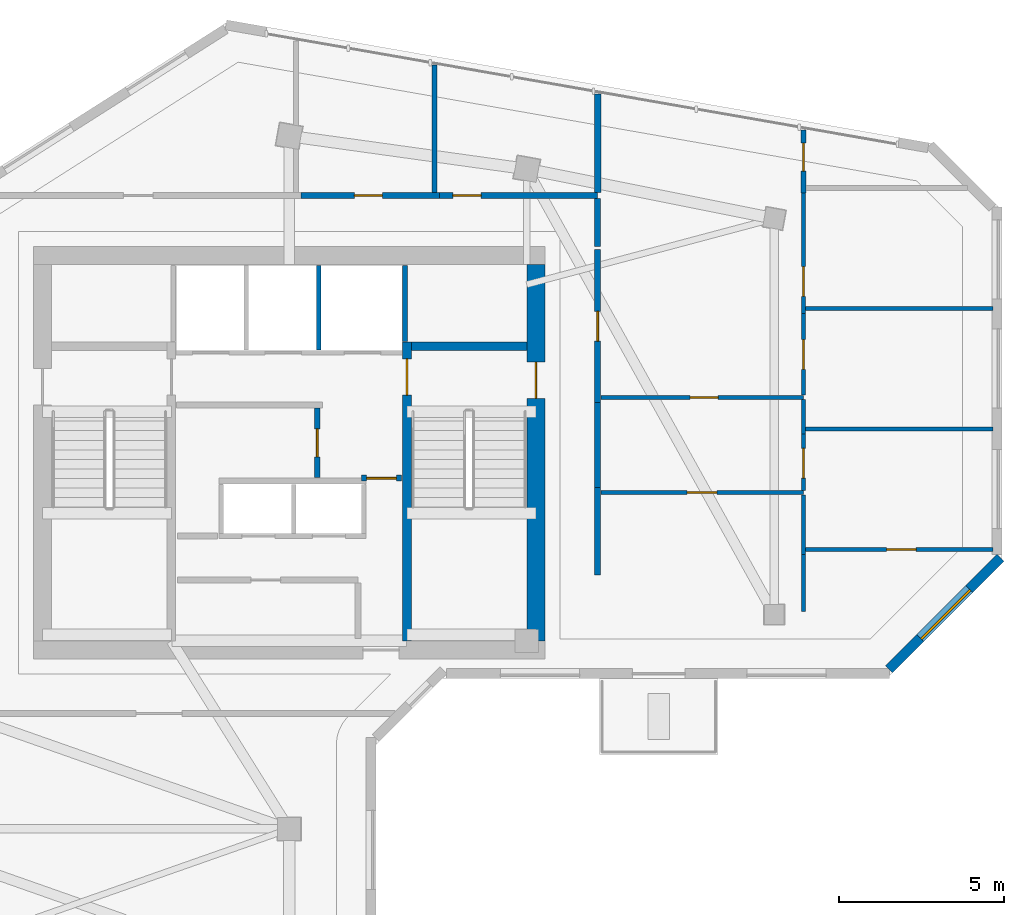
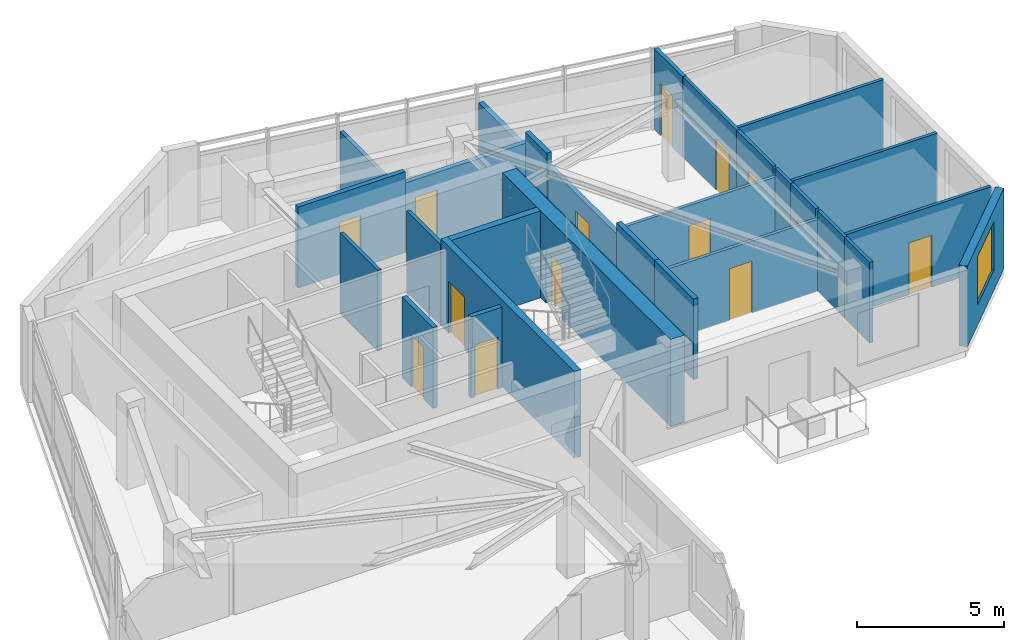
# One storey, part 5 of 9: 28 walls, 14 doors, 1 window, 15 openings.
"""IFC4 building model written with IfcOpenShell, lengths in metres."""

from ifc_helpers import new_model, si_unit, direction, frame, frame_2d, origin, place, context, subcontext, project, spatial, rectangle, extrude, source, transform, mapped, material, layer, layer_set, type_object, element, fill, save


model = new_model("IFC4")

# Units and contexts
model_context = context("Model", 3, precision=1e-05, world=origin(), true_north=direction((0.0, 1.0)))
body_context = subcontext(model_context, "Body", "Model", "MODEL_VIEW")
ifc_project = project(units=[si_unit("LENGTHUNIT", "METRE"), si_unit("AREAUNIT", "SQUARE_METRE"), si_unit("VOLUMEUNIT", "CUBIC_METRE"), si_unit("PLANEANGLEUNIT", "RADIAN"), si_unit("MASSUNIT", "GRAM", prefix="KILO")], contexts=[model_context])

# Site, building, storey
site_placement = place(None, origin())
site = spatial("IfcSite", under=ifc_project, at=site_placement, CompositionType="ELEMENT")
building_placement = place(site_placement, origin())
building = spatial("IfcBuilding", under=site, at=building_placement, Name="Calvemar Wedge Station Tower", CompositionType="ELEMENT")
storey_placement = place(building_placement, frame((0.0, 0.0, 274.5)))
storey = spatial("IfcBuildingStorey", under=building, at=storey_placement, Name="L70", CompositionType="ELEMENT", Elevation=274.5)

# Wall, opening, door
ifc_material_1 = material(Name="Concrete C50", Category="concrete")
ifc_layer_1 = layer(ifc_material_1, 0.260009765625)
ifc_layer_set_1 = layer_set([ifc_layer_1], Name="Concrete C50")
wall_type_1 = type_object("IfcWallType", Name="SW-CORE-260", PredefinedType="SHEAR", material=ifc_layer_set_1)
wall_1_placement = place(storey_placement, frame((27.3701171875, 34.199951171875, 0.0), z_axis=(0.0, 0.0, 1.0), x_axis=(0.0, 1.0, 0.0)))
wall_1 = element("IfcWall", 1, at=wall_1_placement, inside=storey, type_object=wall_type_1, Name="Storey L70 Core Shear Wall SPINE-E", PredefinedType="SHEAR", context=body_context, shape_type="SweptSolid", body=[
    extrude(rectangle(XDim=9.06005859375, YDim=0.260009765625, at=frame_2d((4.530029296875, 0.0))), origin(), (0.0, 0.0, 1.0), 3.60009765625),
])
shared_shape_1 = source(origin(), body_context, "Body", "SweptSolid", [
    extrude(rectangle(XDim=1.10009765625, YDim=2.14990234375, at=frame_2d((0.550048828125, 1.074951171875))), frame((0.0, 0.14013671875, 0.0), z_axis=(0.0, -1.0, 0.0), x_axis=(1.0, 0.0, 0.0)), (0.0, 0.0, 1.0), 0.280029296875),
])
opening_1_placement = place(wall_1_placement, frame((7.449951171875, 0.0, 0.0)))
opening_1 = element("IfcOpeningElement", 2, at=opening_1_placement, cuts=wall_1, Name="Opening FD-90", PredefinedType="OPENING", context=body_context, shape_type="MappedRepresentation", body=[
    mapped(shared_shape_1, transform((0.0, 0.0, 0.0), scale=1.0)),
])
ifc_material_2 = material(Name="Galvanized fire-rated steel door leaf P-90", Category="steel")
door_type_1 = type_object("IfcDoorType", Name="DR-FD90-1100", OperationType="NOTDEFINED", PredefinedType="DOOR", material=ifc_material_2)
shared_shape_2 = source(origin(), body_context, "Body", "SweptSolid", [
    extrude(rectangle(XDim=1.10009765625, YDim=2.14990234375, at=frame_2d((0.550048828125, 1.074951171875))), frame((0.0, 0.02490234375, 0.0), z_axis=(0.0, -1.0, 0.0), x_axis=(1.0, 0.0, 0.0)), (0.0, 0.0, 1.0), 0.050048828125),
])
door_1_placement = place(opening_1_placement, origin())
door_1 = element("IfcDoor", 3, at=door_1_placement, inside=storey, type_object=door_type_1, Name="L70 FF Lobby to Stair ST-C2 Door", OperationType="SINGLE_SWING_LEFT", OverallHeight=2.14990234375, OverallWidth=1.10009765625, PredefinedType="DOOR", context=body_context, shape_type="MappedRepresentation", body=[
    mapped(shared_shape_2, transform((0.0, 0.0, 0.0), scale=1.0)),
])
fill(opening_1, door_1)

# Wall
wall_2_placement = place(storey_placement, frame((27.5, 43.1298828125, 0.0), z_axis=(0.0, 0.0, 1.0), x_axis=(1.0, 0.0, 0.0)))
element("IfcWall", 4, at=wall_2_placement, inside=storey, type_object=wall_type_1, Name="Storey L70 Core Shear Wall STC2-N", PredefinedType="SHEAR", context=body_context, shape_type="SweptSolid", body=[
    extrude(rectangle(XDim=3.5, YDim=0.260009765625, at=frame_2d((1.75, 0.0))), origin(), (0.0, 0.0, 1.0), 3.60009765625),
])

# Wall, opening, door
ifc_material_3 = material(Name="Concrete C60", Category="concrete")
ifc_layer_2 = layer(ifc_material_3, 0.550048828125)
ifc_layer_set_2 = layer_set([ifc_layer_2], Name="Concrete C60")
wall_type_2 = type_object("IfcWallType", Name="SW-CORE-550", PredefinedType="SHEAR", material=ifc_layer_set_2)
wall_3_placement = place(storey_placement, frame((31.27490234375, 34.199951171875, 0.0), z_axis=(0.0, 0.0, 1.0), x_axis=(0.0, 1.0, 0.0)))
wall_3 = element("IfcWall", 5, at=wall_3_placement, inside=storey, type_object=wall_type_2, Name="Storey L70 Core Shear Wall E", PredefinedType="SHEAR", context=body_context, shape_type="SweptSolid", body=[
    extrude(rectangle(XDim=11.400146484375, YDim=0.550048828125, at=frame_2d((5.7001953125, 0.0))), origin(), (0.0, 0.0, 1.0), 3.60009765625),
])
shared_shape_3 = source(origin(), body_context, "Body", "SweptSolid", [
    extrude(rectangle(XDim=1.10009765625, YDim=2.14990234375, at=frame_2d((0.550048828125, 1.074951171875))), frame((0.0, 0.28515625, 0.0), z_axis=(0.0, -1.0, 0.0), x_axis=(1.0, 0.0, 0.0)), (0.0, 0.0, 1.0), 0.570068359375),
])
opening_2_placement = place(wall_3_placement, frame((7.35009765625, 0.0, 0.0)))
opening_2 = element("IfcOpeningElement", 6, at=opening_2_placement, cuts=wall_3, Name="Opening FD-90", PredefinedType="OPENING", context=body_context, shape_type="MappedRepresentation", body=[
    mapped(shared_shape_3, transform((0.0, 0.0, 0.0), scale=1.0)),
])
door_2_placement = place(opening_2_placement, origin())
door_2 = element("IfcDoor", 7, at=door_2_placement, inside=storey, type_object=door_type_1, Name="L70 East Corridor to Exit Stair ST-C2 Door", OperationType="SINGLE_SWING_LEFT", OverallHeight=2.14990234375, OverallWidth=1.10009765625, PredefinedType="DOOR", context=body_context, shape_type="MappedRepresentation", body=[
    mapped(shared_shape_2, transform((0.0, 0.0, 0.0), scale=1.0)),
])
fill(opening_2, door_2)

ifc_material_4 = material(Name="Double-stud fire-rated corridor partition")
ifc_layer_3 = layer(ifc_material_4, 0.179931640625)
ifc_layer_set_3 = layer_set([ifc_layer_3], Name="Double-stud fire-rated corridor partition")
wall_type_3 = type_object("IfcWallType", Name="W-CORR-180", PredefinedType="PARTITIONING", material=ifc_layer_set_3)
wall_4_placement = place(storey_placement, frame((24.64990234375, 41.256103515625, 0.0), z_axis=(0.0, 0.0, 1.0), x_axis=(0.0, -1.0, 0.0)))
wall_4 = element("IfcWall", 8, at=wall_4_placement, inside=storey, type_object=wall_type_3, Name="Storey L70 Interior Partition WL-L70-002", PredefinedType="PARTITIONING", context=body_context, shape_type="SweptSolid", body=[
    extrude(rectangle(XDim=2.106201171875, YDim=0.179931640625, at=frame_2d((1.05322265625, 0.0))), origin(), (0.0, 0.0, 1.0), 3.35009765625),
])
shared_shape_4 = source(origin(), body_context, "Body", "SweptSolid", [
    extrude(rectangle(XDim=0.85009765625, YDim=2.14990234375, at=frame_2d((0.425048828125, 1.074951171875))), frame((0.0, 0.10009765625, 0.0), z_axis=(0.0, -1.0, 0.0), x_axis=(1.0, 0.0, 0.0)), (0.0, 0.0, 1.0), 0.199951171875),
])
opening_3_placement = place(wall_4_placement, frame((0.6279296875, 0.0, 0.0)))
opening_3 = element("IfcOpeningElement", 9, at=opening_3_placement, cuts=wall_4, Name="Opening FD-60S", PredefinedType="OPENING", context=body_context, shape_type="MappedRepresentation", body=[
    mapped(shared_shape_4, transform((0.0, 0.0, 0.0), scale=1.0)),
])
ifc_material_5 = material(Name="Fire-rated steel and hardwood service door EI 60", Category="steel")
door_type_2 = type_object("IfcDoorType", Name="DR-CORE-FD60-850", OperationType="NOTDEFINED", PredefinedType="DOOR", material=ifc_material_5)
shared_shape_5 = source(origin(), body_context, "Body", "SweptSolid", [
    extrude(rectangle(XDim=0.85009765625, YDim=2.14990234375, at=frame_2d((0.425048828125, 1.074951171875))), frame((0.0, 0.02490234375, 0.0), z_axis=(0.0, -1.0, 0.0), x_axis=(1.0, 0.0, 0.0)), (0.0, 0.0, 1.0), 0.050048828125),
])
door_3_placement = place(opening_3_placement, origin())
door_3 = element("IfcDoor", 10, at=door_3_placement, inside=storey, type_object=door_type_2, Name="L70 Cleaner and Linen Store Door", OperationType="SINGLE_SWING_LEFT", OverallHeight=2.14990234375, OverallWidth=0.85009765625, PredefinedType="DOOR", context=body_context, shape_type="MappedRepresentation", body=[
    mapped(shared_shape_5, transform((0.0, 0.0, 0.0), scale=1.0)),
])
fill(opening_3, door_3)

wall_5_placement = place(storey_placement, frame((27.199951171875, 39.1298828125, 0.0), z_axis=(0.0, 0.0, 1.0), x_axis=(-1.0, 0.0, 0.0)))
wall_5 = element("IfcWall", 11, at=wall_5_placement, inside=storey, type_object=wall_type_3, Name="Storey L70 Interior Partition WL-L70-004", PredefinedType="PARTITIONING", context=body_context, shape_type="SweptSolid", body=[
    extrude(rectangle(XDim=1.2099609375, YDim=0.179931640625, at=frame_2d((0.60498046875, 0.0))), origin(), (0.0, 0.0, 1.0), 3.35009765625),
])
shared_shape_6 = source(origin(), body_context, "Body", "SweptSolid", [
    extrude(rectangle(XDim=0.89990234375, YDim=2.14990234375, at=frame_2d((0.449951171875, 1.074951171875))), frame((0.0, 0.10009765625, 0.0), z_axis=(0.0, -1.0, 0.0), x_axis=(1.0, 0.0, 0.0)), (0.0, 0.0, 1.0), 0.199951171875),
])
opening_4_placement = place(wall_5_placement, frame((0.155029296875, 0.0, 0.0)))
opening_4 = element("IfcOpeningElement", 12, at=opening_4_placement, cuts=wall_5, Name="Opening FD-60", PredefinedType="OPENING", context=body_context, shape_type="MappedRepresentation", body=[
    mapped(shared_shape_6, transform((0.0, 0.0, 0.0), scale=1.0)),
])
ifc_material_6 = material(Name="Fire-rated acoustic timber-core entrance door EI 60", Category="wood")
door_type_3 = type_object("IfcDoorType", Name="DR-FD60-900", OperationType="NOTDEFINED", PredefinedType="DOOR", material=ifc_material_6)
shared_shape_7 = source(origin(), body_context, "Body", "SweptSolid", [
    extrude(rectangle(XDim=0.89990234375, YDim=2.14990234375, at=frame_2d((0.449951171875, 1.074951171875))), frame((0.0, 0.02490234375, 0.0), z_axis=(0.0, -1.0, 0.0), x_axis=(1.0, 0.0, 0.0)), (0.0, 0.0, 1.0), 0.050048828125),
])
door_4_placement = place(opening_4_placement, origin())
door_4 = element("IfcDoor", 13, at=door_4_placement, inside=storey, type_object=door_type_3, Name="L70 Core Service Lobby Door", OperationType="SINGLE_SWING_RIGHT", OverallHeight=2.14990234375, OverallWidth=0.89990234375, PredefinedType="DOOR", context=body_context, shape_type="MappedRepresentation", body=[
    mapped(shared_shape_7, transform((0.0, 0.0, 0.0), scale=1.0)),
])
fill(opening_4, door_4)

wall_6_placement = place(storey_placement, frame((24.162109375, 47.699951171875, 0.0), z_axis=(0.0, 0.0, 1.0), x_axis=(1.0, 0.0, 0.0)))
wall_6 = element("IfcWall", 14, at=wall_6_placement, inside=storey, type_object=wall_type_3, Name="Storey L70 Interior Partition WL-L70-013", PredefinedType="PARTITIONING", context=body_context, shape_type="SweptSolid", body=[
    extrude(rectangle(XDim=4.197998046875, YDim=0.179931640625, at=frame_2d((2.09912109375, 0.0))), origin(), (0.0, 0.0, 1.0), 3.35009765625),
])
opening_5_placement = place(wall_6_placement, frame((1.61328125, 0.0, 0.0)))
opening_5 = element("IfcOpeningElement", 15, at=opening_5_placement, cuts=wall_6, Name="Opening D-02", PredefinedType="OPENING", context=body_context, shape_type="MappedRepresentation", body=[
    mapped(shared_shape_4, transform((0.0, 0.0, 0.0), scale=1.0)),
])
ifc_material_7 = material(Name="Moisture-sealed bathroom hardwood swing door", Category="wood")
door_type_4 = type_object("IfcDoorType", Name="DR-WET-850", OperationType="NOTDEFINED", PredefinedType="DOOR", material=ifc_material_7)
shared_shape_8 = source(origin(), body_context, "Body", "SweptSolid", [
    extrude(rectangle(XDim=0.85009765625, YDim=2.14990234375, at=frame_2d((0.425048828125, 1.074951171875))), frame((0.0, 0.02490234375, 0.0), z_axis=(0.0, -1.0, 0.0), x_axis=(1.0, 0.0, 0.0)), (0.0, 0.0, 1.0), 0.050048828125),
])
door_5_placement = place(opening_5_placement, origin())
door_5 = element("IfcDoor", 16, at=door_5_placement, inside=storey, type_object=door_type_4, Name="L70 Accessible WC Door", OperationType="SINGLE_SWING_RIGHT", OverallHeight=2.14990234375, OverallWidth=0.85009765625, PredefinedType="DOOR", context=body_context, shape_type="MappedRepresentation", body=[
    mapped(shared_shape_8, transform((0.0, 0.0, 0.0), scale=1.0)),
])
fill(opening_5, door_5)

wall_7_placement = place(storey_placement, frame((28.362060546875, 47.699951171875, 0.0), z_axis=(0.0, 0.0, 1.0), x_axis=(1.0, 0.0, 0.0)))
wall_7 = element("IfcWall", 17, at=wall_7_placement, inside=storey, type_object=wall_type_3, Name="Storey L70 Interior Partition WL-L70-014", PredefinedType="PARTITIONING", context=body_context, shape_type="SweptSolid", body=[
    extrude(rectangle(XDim=4.787841796875, YDim=0.179931640625, at=frame_2d((2.39404296875, 0.0))), origin(), (0.0, 0.0, 1.0), 2.87890625),
])
opening_6_placement = place(wall_7_placement, frame((0.400634765625, 0.0, 0.0)))
opening_6 = element("IfcOpeningElement", 18, at=opening_6_placement, cuts=wall_7, Name="Opening D-02", PredefinedType="OPENING", context=body_context, shape_type="MappedRepresentation", body=[
    mapped(shared_shape_4, transform((0.0, 0.0, 0.0), scale=1.0)),
])
door_6_placement = place(opening_6_placement, origin())
door_6 = element("IfcDoor", 19, at=door_6_placement, inside=storey, type_object=door_type_4, Name="L70 Storage Room Door", OperationType="SINGLE_SWING_LEFT", OverallHeight=2.14990234375, OverallWidth=0.85009765625, PredefinedType="DOOR", context=body_context, shape_type="MappedRepresentation", body=[
    mapped(shared_shape_8, transform((0.0, 0.0, 0.0), scale=1.0)),
])
fill(opening_6, door_6)

# Walls
wall_8_placement = place(storey_placement, frame((33.14990234375, 47.60595703125, 0.0), z_axis=(0.0, 0.0, 1.0), x_axis=(0.0, -1.0, 0.0)))
element("IfcWall", 20, at=wall_8_placement, inside=storey, type_object=wall_type_3, Name="Storey L70 Interior Partition WL-L70-015", PredefinedType="PARTITIONING", context=body_context, shape_type="SweptSolid", body=[
    extrude(rectangle(XDim=1.4560546875, YDim=0.179931640625, at=frame_2d((0.72802734375, 0.0))), origin(), (0.0, 0.0, 1.0), 3.35009765625),
])
wall_9_placement = place(storey_placement, frame((33.14990234375, 38.85205078125, 0.0), z_axis=(0.0, 0.0, 1.0), x_axis=(0.0, -1.0, 0.0)))
element("IfcWall", 21, at=wall_9_placement, inside=storey, type_object=wall_type_3, Name="Storey L70 Interior Partition WL-L70-016", PredefinedType="PARTITIONING", context=body_context, shape_type="SweptSolid", body=[
    extrude(rectangle(XDim=2.652099609375, YDim=0.179931640625, at=frame_2d((1.326171875, 0.0))), origin(), (0.0, 0.0, 1.0), 3.35009765625),
])

# Wall, opening, door
wall_10_placement = place(storey_placement, frame((33.14990234375, 46.055908203125, 0.0), z_axis=(0.0, 0.0, 1.0), x_axis=(0.0, -1.0, 0.0)))
wall_10 = element("IfcWall", 22, at=wall_10_placement, inside=storey, type_object=wall_type_3, Name="Storey L70 Interior Partition WL-L70-017", PredefinedType="PARTITIONING", context=body_context, shape_type="SweptSolid", body=[
    extrude(rectangle(XDim=4.635986328125, YDim=0.179931640625, at=frame_2d((2.31787109375, 0.0))), origin(), (0.0, 0.0, 1.0), 2.87890625),
])
opening_7_placement = place(wall_10_placement, frame((1.867919921875, 0.0, 0.0)))
opening_7 = element("IfcOpeningElement", 23, at=opening_7_placement, cuts=wall_10, Name="Opening FD-60", PredefinedType="OPENING", context=body_context, shape_type="MappedRepresentation", body=[
    mapped(shared_shape_6, transform((0.0, 0.0, 0.0), scale=1.0)),
])
door_7_placement = place(opening_7_placement, origin())
door_7 = element("IfcDoor", 24, at=door_7_placement, inside=storey, type_object=door_type_3, Name="L70 Living Dining Door", OperationType="SINGLE_SWING_LEFT", OverallHeight=2.14990234375, OverallWidth=0.89990234375, PredefinedType="DOOR", context=body_context, shape_type="MappedRepresentation", body=[
    mapped(shared_shape_7, transform((0.0, 0.0, 0.0), scale=1.0)),
])
fill(opening_7, door_7)

# Walls
wall_11_placement = place(storey_placement, frame((33.14990234375, 41.41796875, 0.0), z_axis=(0.0, 0.0, 1.0), x_axis=(0.0, -1.0, 0.0)))
element("IfcWall", 25, at=wall_11_placement, inside=storey, type_object=wall_type_3, Name="Storey L70 Interior Partition WL-L70-018", PredefinedType="PARTITIONING", context=body_context, shape_type="SweptSolid", body=[
    extrude(rectangle(XDim=2.56396484375, YDim=0.179931640625, at=frame_2d((1.281982421875, 0.0))), origin(), (0.0, 0.0, 1.0), 3.35009765625),
])
ifc_material_8 = material(Name="Twin-stud fire-rated inter-tenancy wall")
ifc_layer_4 = layer(ifc_material_8, 0.199951171875)
ifc_layer_set_4 = layer_set([ifc_layer_4], Name="Twin-stud fire-rated inter-tenancy wall")
wall_type_4 = type_object("IfcWallType", Name="W-DEMISE-200", PredefinedType="PARTITIONING", material=ifc_layer_set_4)
wall_12_placement = place(storey_placement, frame((33.14990234375, 50.7802734375, 0.0), z_axis=(0.0, 0.0, 1.0), x_axis=(0.0, -1.0, 0.0)))
element("IfcWall", 26, at=wall_12_placement, inside=storey, type_object=wall_type_4, Name="Storey L70 Interior Partition WL-L70-022", PredefinedType="PARTITIONING", context=body_context, shape_type="SweptSolid", body=[
    extrude(rectangle(XDim=2.986328125, YDim=0.199951171875, at=frame_2d((1.4931640625, 0.0))), origin(), (0.0, 0.0, 1.0), 2.64208984375),
])

# Wall, opening, window
ifc_material_9 = material(Name="Precast concrete C45", Category="concrete")
ifc_layer_5 = layer(ifc_material_9, 0.300048828125)
ifc_layer_set_5 = layer_set([ifc_layer_5], Name="Precast concrete C45")
wall_type_5 = type_object("IfcWallType", Name="W-EXT-GFRC-300", PredefinedType="SOLIDWALL", material=ifc_layer_set_5)
wall_13_placement = place(storey_placement, frame((41.975830078125, 33.343994140625, 0.0), z_axis=(0.0, 0.0, 1.0), x_axis=(0.707132316343, 0.707081245108, 0.0)))
wall_13 = element("IfcWall", 27, at=wall_13_placement, inside=storey, type_object=wall_type_5, Name="Storey L70 Bronze GFRC Exterior Wall 7", PredefinedType="SOLIDWALL", context=body_context, shape_type="SweptSolid", body=[
    extrude(rectangle(XDim=4.7802734375, YDim=0.300048828125, at=frame_2d((2.39013671875, 0.0))), origin(), (0.0, 0.0, 1.0), 3.35009765625),
])
shared_shape_9 = source(origin(), body_context, "Body", "SweptSolid", [
    extrude(rectangle(XDim=2.10009765625, YDim=2.0, at=frame_2d((1.050048828125, 1.0))), frame((0.0, 0.16015625, 0.0), z_axis=(0.0, -1.0, 0.0), x_axis=(1.0, 0.0, 0.0)), (0.0, 0.0, 1.0), 0.320068359375),
])
opening_8_placement = place(wall_13_placement, frame((1.340087890625, 0.0, 0.85009765625)))
opening_8 = element("IfcOpeningElement", 28, at=opening_8_placement, cuts=wall_13, Name="Opening W4", PredefinedType="OPENING", context=body_context, shape_type="MappedRepresentation", body=[
    mapped(shared_shape_9, transform((0.0, 0.0, 0.0), scale=1.0)),
])
ifc_material_10 = material(Name="Low-E laminated insulated glass", Category="glass")
window_type = type_object("IfcWindowType", Name="WIN-EXT-4", PartitioningType="SINGLE_PANEL", PredefinedType="WINDOW", material=ifc_material_10)
shared_shape_10 = source(origin(), body_context, "Body", "SweptSolid", [
    extrude(rectangle(XDim=2.10009765625, YDim=2.0, at=frame_2d((1.050048828125, 1.0))), frame((0.0, -0.014892578125, 0.0), z_axis=(0.0, -1.0, 0.0), x_axis=(1.0, 0.0, 0.0)), (0.0, 0.0, 1.0), 0.06005859375),
])
window_placement = place(opening_8_placement, origin())
window = element("IfcWindow", 29, at=window_placement, inside=storey, type_object=window_type, Name="Storey L70 Recessed Window 7.1", OverallHeight=2.0, OverallWidth=2.10009765625, PartitioningType="SINGLE_PANEL", PredefinedType="WINDOW", context=body_context, shape_type="MappedRepresentation", body=[
    mapped(shared_shape_10, transform((0.0, 0.0, 0.0), scale=1.0)),
])
fill(opening_8, window)

# Walls
ifc_material_11 = material(Name="Reinforced concrete blockwork lift shaft wall", Category="masonry")
ifc_layer_6 = layer(ifc_material_11, 0.139892578125)
ifc_layer_set_6 = layer_set([ifc_layer_6], Name="Reinforced concrete blockwork lift shaft wall")
wall_type_6 = type_object("IfcWallType", Name="W-LIFT-160", PredefinedType="SOLIDWALL", material=ifc_layer_set_6)
wall_14_placement = place(storey_placement, frame((27.31005859375, 43.280029296875, 0.0), z_axis=(0.0, 0.0, 1.0), x_axis=(0.0, 1.0, 0.0)))
element("IfcWall", 30, at=wall_14_placement, inside=storey, type_object=wall_type_6, Name="Storey L70 Firefighting Lift Shaft Enclosure Wall E", PredefinedType="SOLIDWALL", context=body_context, shape_type="SweptSolid", body=[
    extrude(rectangle(XDim=2.300048828125, YDim=0.139892578125, at=frame_2d((1.14990234375, 0.0))), origin(), (0.0, 0.0, 1.0), 3.35009765625),
])
wall_15_placement = place(storey_placement, frame((24.699951171875, 43.02001953125, 0.0), z_axis=(0.0, 0.0, 1.0), x_axis=(0.0, 1.0, 0.0)))
element("IfcWall", 31, at=wall_15_placement, inside=storey, type_object=wall_type_6, Name="Storey L70 Firefighting Lift Shaft Enclosure Wall D2", PredefinedType="SOLIDWALL", context=body_context, shape_type="SweptSolid", body=[
    extrude(rectangle(XDim=2.56005859375, YDim=0.139892578125, at=frame_2d((1.280029296875, 0.0))), origin(), (0.0, 0.0, 1.0), 3.35009765625),
])

# Wall, opening, door
ifc_material_12 = material(Name="Insulated acoustic gypsum stud partition")
ifc_layer_7 = layer(ifc_material_12, 0.125)
ifc_layer_set_7 = layer_set([ifc_layer_7], Name="Insulated acoustic gypsum stud partition")
wall_type_7 = type_object("IfcWallType", Name="W-PART-125", PredefinedType="PARTITIONING", material=ifc_layer_set_7)
wall_16_placement = place(storey_placement, frame((33.243896484375, 38.69189453125, 0.0), z_axis=(0.0, 0.0, 1.0), x_axis=(1.0, 0.0, 0.0)))
wall_16 = element("IfcWall", 32, at=wall_16_placement, inside=storey, type_object=wall_type_7, Name="Storey L70 Interior Partition WL-L70-023", PredefinedType="PARTITIONING", context=body_context, shape_type="SweptSolid", body=[
    extrude(rectangle(XDim=6.13818359375, YDim=0.125, at=frame_2d((3.069091796875, 0.0))), origin(), (0.0, 0.0, 1.0), 2.97900390625),
])
shared_shape_11 = source(origin(), body_context, "Body", "SweptSolid", [
    extrude(rectangle(XDim=0.89990234375, YDim=2.14990234375, at=frame_2d((0.449951171875, 1.074951171875))), frame((0.0, 0.072509765625, 0.0), z_axis=(0.0, -1.0, 0.0), x_axis=(1.0, 0.0, 0.0)), (0.0, 0.0, 1.0), 0.14501953125),
])
opening_9_placement = place(wall_16_placement, frame((2.618896484375, 0.0, 0.0)))
opening_9 = element("IfcOpeningElement", 33, at=opening_9_placement, cuts=wall_16, Name="Opening D-01", PredefinedType="OPENING", context=body_context, shape_type="MappedRepresentation", body=[
    mapped(shared_shape_11, transform((0.0, 0.0, 0.0), scale=1.0)),
])
ifc_material_13 = material(Name="Architectural hardwood acoustic swing door", Category="wood")
door_type_5 = type_object("IfcDoorType", Name="DR-INT-900", OperationType="NOTDEFINED", PredefinedType="DOOR", material=ifc_material_13)
shared_shape_12 = source(origin(), body_context, "Body", "SweptSolid", [
    extrude(rectangle(XDim=0.89990234375, YDim=2.14990234375, at=frame_2d((0.449951171875, 1.074951171875))), frame((0.0, 0.02490234375, 0.0), z_axis=(0.0, -1.0, 0.0), x_axis=(1.0, 0.0, 0.0)), (0.0, 0.0, 1.0), 0.050048828125),
])
door_8_placement = place(opening_9_placement, origin())
door_8 = element("IfcDoor", 34, at=door_8_placement, inside=storey, type_object=door_type_5, Name="L70 Study Door", OperationType="SINGLE_SWING_RIGHT", OverallHeight=2.14990234375, OverallWidth=0.89990234375, PredefinedType="DOOR", context=body_context, shape_type="MappedRepresentation", body=[
    mapped(shared_shape_12, transform((0.0, 0.0, 0.0), scale=1.0)),
])
fill(opening_9, door_8)

# Walls
wall_17_placement = place(storey_placement, frame((39.382080078125, 38.62548828125, 0.0), z_axis=(0.0, 0.0, 1.0), x_axis=(0.0, -1.0, 0.0)))
element("IfcWall", 35, at=wall_17_placement, inside=storey, type_object=wall_type_7, Name="Storey L70 Interior Partition WL-L70-024", PredefinedType="PARTITIONING", context=body_context, shape_type="SweptSolid", body=[
    extrude(rectangle(XDim=1.8125, YDim=0.125, at=frame_2d((0.90625, 0.0))), origin(), (0.0, 0.0, 1.0), 3.35009765625),
])
wall_18_placement = place(storey_placement, frame((39.382080078125, 36.81103515625, 0.0), z_axis=(0.0, 0.0, 1.0), x_axis=(0.0, -1.0, 0.0)))
element("IfcWall", 36, at=wall_18_placement, inside=storey, type_object=wall_type_7, Name="Storey L70 Interior Partition WL-L70-025", PredefinedType="PARTITIONING", context=body_context, shape_type="SweptSolid", body=[
    extrude(rectangle(XDim=1.718994140625, YDim=0.125, at=frame_2d((0.859375, 0.0))), origin(), (0.0, 0.0, 1.0), 3.35009765625),
])

# Wall, opening, door
wall_19_placement = place(storey_placement, frame((39.382080078125, 41.580078125, 0.0), z_axis=(0.0, 0.0, 1.0), x_axis=(-1.0, 0.0, 0.0)))
wall_19 = element("IfcWall", 37, at=wall_19_placement, inside=storey, type_object=wall_type_7, Name="Storey L70 Interior Partition WL-L70-026", PredefinedType="PARTITIONING", context=body_context, shape_type="SweptSolid", body=[
    extrude(rectangle(XDim=6.13818359375, YDim=0.125, at=frame_2d((3.069091796875, 0.0))), origin(), (0.0, 0.0, 1.0), 2.97900390625),
])
shared_shape_13 = source(origin(), body_context, "Body", "SweptSolid", [
    extrude(rectangle(XDim=0.85009765625, YDim=2.14990234375, at=frame_2d((0.425048828125, 1.074951171875))), frame((0.0, 0.072509765625, 0.0), z_axis=(0.0, -1.0, 0.0), x_axis=(1.0, 0.0, 0.0)), (0.0, 0.0, 1.0), 0.14501953125),
])
opening_10_placement = place(wall_19_placement, frame((2.58349609375, 0.0, 0.0)))
opening_10 = element("IfcOpeningElement", 38, at=opening_10_placement, cuts=wall_19, Name="Opening D-02", PredefinedType="OPENING", context=body_context, shape_type="MappedRepresentation", body=[
    mapped(shared_shape_13, transform((0.0, 0.0, 0.0), scale=1.0)),
])
door_9_placement = place(opening_10_placement, origin())
door_9 = element("IfcDoor", 39, at=door_9_placement, inside=storey, type_object=door_type_4, Name="L70 Kitchen Door", OperationType="SINGLE_SWING_RIGHT", OverallHeight=2.14990234375, OverallWidth=0.85009765625, PredefinedType="DOOR", context=body_context, shape_type="MappedRepresentation", body=[
    mapped(shared_shape_8, transform((0.0, 0.0, 0.0), scale=1.0)),
])
fill(opening_10, door_9)

wall_20_placement = place(storey_placement, frame((39.382080078125, 47.76806640625, 0.0), z_axis=(0.0, 0.0, 1.0), x_axis=(0.0, -1.0, 0.0)))
wall_20 = element("IfcWall", 40, at=wall_20_placement, inside=storey, type_object=wall_type_7, Name="Storey L70 Interior Partition WL-L70-028", PredefinedType="PARTITIONING", context=body_context, shape_type="SweptSolid", body=[
    extrude(rectangle(XDim=3.650146484375, YDim=0.125, at=frame_2d((1.8251953125, 0.0))), origin(), (0.0, 0.0, 1.0), 3.35009765625),
])
opening_11_placement = place(wall_20_placement, frame((2.226806640625, 0.0, 0.0)))
opening_11 = element("IfcOpeningElement", 41, at=opening_11_placement, cuts=wall_20, Name="Opening D-01", PredefinedType="OPENING", context=body_context, shape_type="MappedRepresentation", body=[
    mapped(shared_shape_11, transform((0.0, 0.0, 0.0), scale=1.0)),
])
door_10_placement = place(opening_11_placement, origin())
door_10 = element("IfcDoor", 42, at=door_10_placement, inside=storey, type_object=door_type_5, Name="L70 Master Bedroom Door", OperationType="SINGLE_SWING_RIGHT", OverallHeight=2.14990234375, OverallWidth=0.89990234375, PredefinedType="DOOR", context=body_context, shape_type="MappedRepresentation", body=[
    mapped(shared_shape_12, transform((0.0, 0.0, 0.0), scale=1.0)),
])
fill(opening_11, door_10)

wall_21_placement = place(storey_placement, frame((39.382080078125, 44.115966796875, 0.0), z_axis=(0.0, 0.0, 1.0), x_axis=(0.0, -1.0, 0.0)))
wall_21 = element("IfcWall", 43, at=wall_21_placement, inside=storey, type_object=wall_type_7, Name="Storey L70 Interior Partition WL-L70-029", PredefinedType="PARTITIONING", context=body_context, shape_type="SweptSolid", body=[
    extrude(rectangle(XDim=2.469482421875, YDim=0.125, at=frame_2d((1.23486328125, 0.0))), origin(), (0.0, 0.0, 1.0), 3.35009765625),
])
opening_12_placement = place(wall_21_placement, frame((0.78466796875, 0.0, 0.0)))
opening_12 = element("IfcOpeningElement", 44, at=opening_12_placement, cuts=wall_21, Name="Opening D-01", PredefinedType="OPENING", context=body_context, shape_type="MappedRepresentation", body=[
    mapped(shared_shape_11, transform((0.0, 0.0, 0.0), scale=1.0)),
])
door_11_placement = place(opening_12_placement, origin())
door_11 = element("IfcDoor", 45, at=door_11_placement, inside=storey, type_object=door_type_5, Name="L70 Bedroom Door", OperationType="SINGLE_SWING_LEFT", OverallHeight=2.14990234375, OverallWidth=0.89990234375, PredefinedType="DOOR", context=body_context, shape_type="MappedRepresentation", body=[
    mapped(shared_shape_12, transform((0.0, 0.0, 0.0), scale=1.0)),
])
fill(opening_12, door_11)

# Wall
wall_22_placement = place(storey_placement, frame((39.382080078125, 41.513427734375, 0.0), z_axis=(0.0, 0.0, 1.0), x_axis=(0.0, -1.0, 0.0)))
element("IfcWall", 46, at=wall_22_placement, inside=storey, type_object=wall_type_7, Name="Storey L70 Interior Partition WL-L70-030", PredefinedType="PARTITIONING", context=body_context, shape_type="SweptSolid", body=[
    extrude(rectangle(XDim=1.04736328125, YDim=0.125, at=frame_2d((0.523681640625, 0.0))), origin(), (0.0, 0.0, 1.0), 3.35009765625),
])

# Wall, opening, door
wall_23_placement = place(storey_placement, frame((39.382080078125, 40.464111328125, 0.0), z_axis=(0.0, 0.0, 1.0), x_axis=(0.0, -1.0, 0.0)))
wall_23 = element("IfcWall", 47, at=wall_23_placement, inside=storey, type_object=wall_type_7, Name="Storey L70 Interior Partition WL-L70-031", PredefinedType="PARTITIONING", context=body_context, shape_type="SweptSolid", body=[
    extrude(rectangle(XDim=1.70556640625, YDim=0.125, at=frame_2d((0.852783203125, 0.0))), origin(), (0.0, 0.0, 1.0), 3.35009765625),
])
opening_13_placement = place(wall_23_placement, frame((0.433349609375, 0.0, 0.0)))
opening_13 = element("IfcOpeningElement", 48, at=opening_13_placement, cuts=wall_23, Name="Opening D-01", PredefinedType="OPENING", context=body_context, shape_type="MappedRepresentation", body=[
    mapped(shared_shape_11, transform((0.0, 0.0, 0.0), scale=1.0)),
])
door_12_placement = place(opening_13_placement, origin())
door_12 = element("IfcDoor", 49, at=door_12_placement, inside=storey, type_object=door_type_5, Name="L70 Bedroom Door", OperationType="SINGLE_SWING_RIGHT", OverallHeight=2.14990234375, OverallWidth=0.89990234375, PredefinedType="DOOR", context=body_context, shape_type="MappedRepresentation", body=[
    mapped(shared_shape_12, transform((0.0, 0.0, 0.0), scale=1.0)),
])
fill(opening_13, door_12)

# Walls
for number, where, z_axis, x_axis, name in (
    (50, (45.135009765625, 44.278076171875, 0.0), (0.0, 0.0, 1.0), (-1.0, 0.0, 0.0), "Storey L70 Interior Partition WL-L70-033"),
    (51, (45.135009765625, 40.6259765625, 0.0), (0.0, 0.0, 1.0), (-1.0, 0.0, 0.0), "Storey L70 Interior Partition WL-L70-034"),
):
    element("IfcWall", number, at=place(storey_placement, frame(where, z_axis=z_axis, x_axis=x_axis)), inside=storey, type_object=wall_type_7, Name=name, PredefinedType="PARTITIONING", context=body_context, shape_type="SweptSolid", body=[
        extrude(rectangle(XDim=5.6865234375, YDim=0.125, at=frame_2d((2.84326171875, 0.0))), origin(), (0.0, 0.0, 1.0), 3.35009765625),
    ])

# Wall, opening, door
wall_24_placement = place(storey_placement, frame((45.135009765625, 36.972900390625, 0.0), z_axis=(0.0, 0.0, 1.0), x_axis=(-1.0, 0.0, 0.0)))
wall_24 = element("IfcWall", 52, at=wall_24_placement, inside=storey, type_object=wall_type_7, Name="Storey L70 Interior Partition WL-L70-035", PredefinedType="PARTITIONING", context=body_context, shape_type="SweptSolid", body=[
    extrude(rectangle(XDim=5.6865234375, YDim=0.125, at=frame_2d((2.84326171875, 0.0))), origin(), (0.0, 0.0, 1.0), 3.35009765625),
])
opening_14_placement = place(wall_24_placement, frame((2.3330078125, 0.0, 0.0)))
opening_14 = element("IfcOpeningElement", 53, at=opening_14_placement, cuts=wall_24, Name="Opening D-01", PredefinedType="OPENING", context=body_context, shape_type="MappedRepresentation", body=[
    mapped(shared_shape_11, transform((0.0, 0.0, 0.0), scale=1.0)),
])
door_13_placement = place(opening_14_placement, origin())
door_13 = element("IfcDoor", 54, at=door_13_placement, inside=storey, type_object=door_type_5, Name="L70 Study Door", OperationType="SINGLE_SWING_LEFT", OverallHeight=2.14990234375, OverallWidth=0.89990234375, PredefinedType="DOOR", context=body_context, shape_type="MappedRepresentation", body=[
    mapped(shared_shape_12, transform((0.0, 0.0, 0.0), scale=1.0)),
])
fill(opening_14, door_13)

# Wall
ifc_material_14 = material(Name="Moisture-resistant acoustic bathroom partition")
ifc_layer_8 = layer(ifc_material_14, 0.14990234375)
ifc_layer_set_8 = layer_set([ifc_layer_8], Name="Moisture-resistant acoustic bathroom partition")
wall_type_8 = type_object("IfcWallType", Name="W-WET-150", PredefinedType="PARTITIONING", material=ifc_layer_set_8)
wall_25_placement = place(storey_placement, frame((28.199951171875, 51.646240234375, 0.0), z_axis=(0.0, 0.0, 1.0), x_axis=(0.0, -1.0, 0.0)))
element("IfcWall", 55, at=wall_25_placement, inside=storey, type_object=wall_type_8, Name="Storey L70 Interior Partition WL-L70-021", PredefinedType="PARTITIONING", context=body_context, shape_type="SweptSolid", body=[
    extrude(rectangle(XDim=3.852294921875, YDim=0.14990234375, at=frame_2d((1.92626953125, 0.0))), origin(), (0.0, 0.0, 1.0), 2.64208984375),
])

# Wall, opening, door
wall_26_placement = place(storey_placement, frame((39.382080078125, 49.68994140625, 0.0), z_axis=(0.0, 0.0, 1.0), x_axis=(0.0, -1.0, 0.0)))
wall_26 = element("IfcWall", 56, at=wall_26_placement, inside=storey, type_object=wall_type_8, Name="Storey L70 Interior Partition WL-L70-027", PredefinedType="PARTITIONING", context=body_context, shape_type="SweptSolid", body=[
    extrude(rectangle(XDim=1.919921875, YDim=0.14990234375, at=frame_2d((0.9599609375, 0.0))), origin(), (0.0, 0.0, 1.0), 3.35009765625),
])
shared_shape_14 = source(origin(), body_context, "Body", "SweptSolid", [
    extrude(rectangle(XDim=0.85009765625, YDim=2.14990234375, at=frame_2d((0.425048828125, 1.074951171875))), frame((0.0, 0.0849609375, 0.0), z_axis=(0.0, -1.0, 0.0), x_axis=(1.0, 0.0, 0.0)), (0.0, 0.0, 1.0), 0.169921875),
])
opening_15_placement = place(wall_26_placement, frame((0.407470703125, 0.0, 0.0)))
opening_15 = element("IfcOpeningElement", 57, at=opening_15_placement, cuts=wall_26, Name="Opening D-02", PredefinedType="OPENING", context=body_context, shape_type="MappedRepresentation", body=[
    mapped(shared_shape_14, transform((0.0, 0.0, 0.0), scale=1.0)),
])
door_14_placement = place(opening_15_placement, origin())
door_14 = element("IfcDoor", 58, at=door_14_placement, inside=storey, type_object=door_type_4, Name="L70 Bathroom Door", OperationType="SINGLE_SWING_LEFT", OverallHeight=2.14990234375, OverallWidth=0.85009765625, PredefinedType="DOOR", context=body_context, shape_type="MappedRepresentation", body=[
    mapped(shared_shape_8, transform((0.0, 0.0, 0.0), scale=1.0)),
])
fill(opening_15, door_14)

save(model, "model.ifc")
